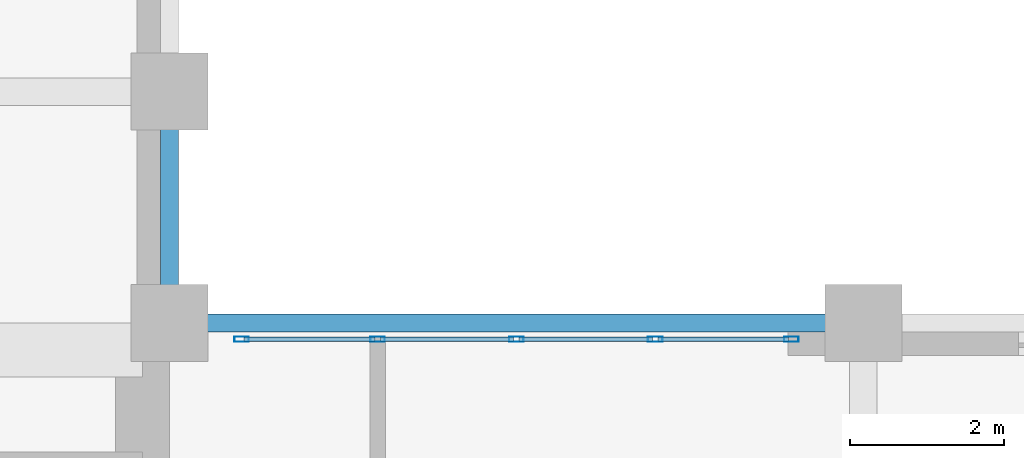
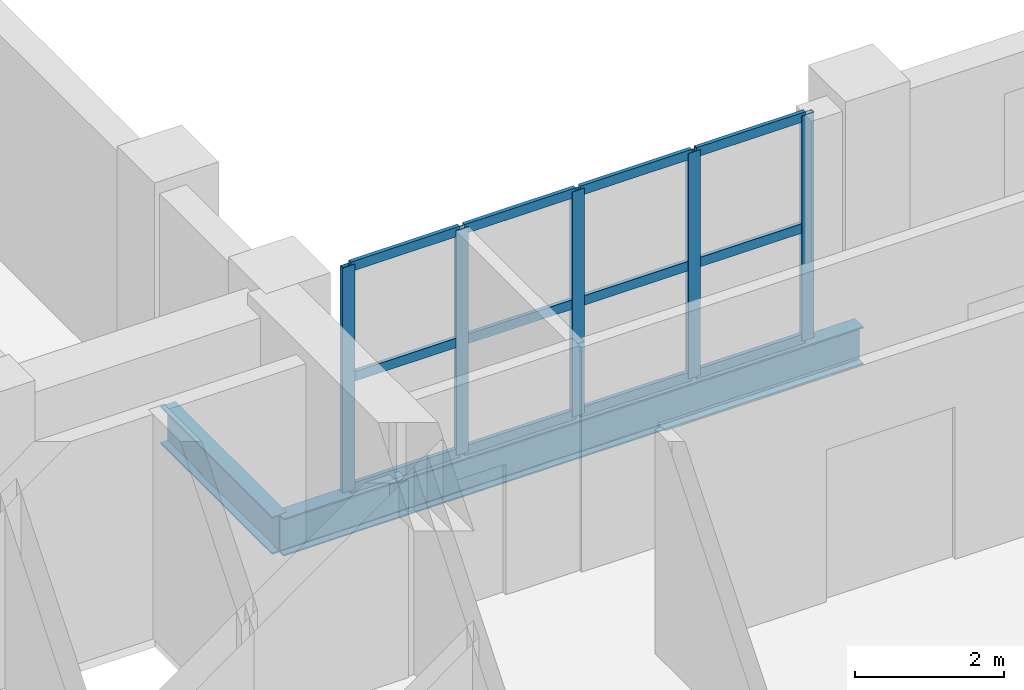
# One storey, part 2 of 8: 17 members, 2 beams, 1 element without a shape of its own.
"""IFC4 building model written with IfcOpenShell, lengths in metres."""

from ifc_helpers import new_model, si_unit, direction, frame, origin, origin_2d, place, context, subcontext, project, spatial, hollow_rectangle, i_section, extrude, material, layer, layer_set, material_profile, profile_set, type_object, element, aggregate, save


model = new_model("IFC4")

# Units and contexts
model_context = context("Model", 3, precision=1e-05, world=origin(), true_north=direction((0.0, 1.0)))
body_context = subcontext(model_context, "Body", "Model", "MODEL_VIEW")
ifc_project = project(units=[si_unit("LENGTHUNIT", "METRE"), si_unit("AREAUNIT", "SQUARE_METRE"), si_unit("VOLUMEUNIT", "CUBIC_METRE"), si_unit("PLANEANGLEUNIT", "RADIAN"), si_unit("MASSUNIT", "GRAM", prefix="KILO")], contexts=[model_context])

# Site, building, storey
site_placement = place(None, origin())
site = spatial("IfcSite", under=ifc_project, at=site_placement, CompositionType="ELEMENT")
building_placement = place(site_placement, origin())
building = spatial("IfcBuilding", under=site, at=building_placement, Name="Mawjdan Bourse Tower", CompositionType="ELEMENT")
storey_placement = place(building_placement, frame((0.0, 0.0, 132.300048828125)))
storey = spatial("IfcBuildingStorey", under=building, at=storey_placement, Name="L31", CompositionType="ELEMENT", Elevation=132.300048828125)

# Curtain wall, members
ifc_material_1 = material(Name="Thermally Broken Aluminium and Solar Glass", Category="aluminium")
ifc_layer = layer(ifc_material_1, 0.219970703125)
ifc_layer_set = layer_set([ifc_layer], Name="Thermally Broken Aluminium and Solar Glass")
curtain_wall_type = type_object("IfcCurtainWallType", Name="CW-ATR", PredefinedType="USERDEFINED", material=ifc_layer_set)
curtain_wall_placement = place(storey_placement, origin())
curtain_wall = element("IfcCurtainWall", 1, at=curtain_wall_placement, inside=storey, type_object=curtain_wall_type, Name="L31 Northeast Atrium Court Curtain Wall", ObjectType="ATRIUM GLAZED CURTAIN WALL", PredefinedType="USERDEFINED")
ifc_material_2 = material(Name="Thermally Broken Anodised Aluminium", Category="aluminium")
ifc_material_profile_1 = material_profile(ifc_material_2, hollow_rectangle(XDim=0.070068359375, YDim=0.18994140625, WallThickness=0.00439453125, at=origin_2d()), Name="ALU-MUL-190X70")
ifc_profile_set_1 = profile_set([ifc_material_profile_1], Name="Thermally Broken Anodised Aluminium")
member_type_1 = type_object("IfcMemberType", Name="MUL-ALU-MUL-190X70", PredefinedType="MULLION", material=ifc_profile_set_1)
member_1_placement = place(storey_placement, frame((32.06494140625, 20.7900390625, 0.0), z_axis=(0.0, 0.0, 1.0), x_axis=(0.0, -1.0, 0.0)))
member_1 = element("IfcMember", 2, at=member_1_placement, type_object=member_type_1, Name="CW-ATR-L31-ATR-NE mullion 1", PredefinedType="MULLION", context=body_context, shape_type="SweptSolid", body=[
    extrude(hollow_rectangle(XDim=0.070068359375, YDim=0.18994140625, WallThickness=0.00439453125, at=origin_2d()), origin(), (0.0, 0.0, 1.0), 3.699951171875),
])
member_2_placement = place(storey_placement, frame((30.300048828125, 20.7900390625, 0.0), z_axis=(0.0, 0.0, 1.0), x_axis=(0.0, -1.0, 0.0)))
member_2 = element("IfcMember", 3, at=member_2_placement, type_object=member_type_1, Name="CW-ATR-L31-ATR-NE mullion 2", PredefinedType="MULLION", context=body_context, shape_type="SweptSolid", body=[
    extrude(hollow_rectangle(XDim=0.070068359375, YDim=0.18994140625, WallThickness=0.00439453125, at=origin_2d()), origin(), (0.0, 0.0, 1.0), 3.699951171875),
])
member_3_placement = place(storey_placement, frame((28.5, 20.7900390625, 0.0), z_axis=(0.0, 0.0, 1.0), x_axis=(0.0, -1.0, 0.0)))
member_3 = element("IfcMember", 4, at=member_3_placement, type_object=member_type_1, Name="CW-ATR-L31-ATR-NE mullion 3", PredefinedType="MULLION", context=body_context, shape_type="SweptSolid", body=[
    extrude(hollow_rectangle(XDim=0.070068359375, YDim=0.18994140625, WallThickness=0.00439453125, at=origin_2d()), origin(), (0.0, 0.0, 1.0), 3.699951171875),
])
member_4_placement = place(storey_placement, frame((26.699951171875, 20.7900390625, 0.0), z_axis=(0.0, 0.0, 1.0), x_axis=(0.0, -1.0, 0.0)))
member_4 = element("IfcMember", 5, at=member_4_placement, type_object=member_type_1, Name="CW-ATR-L31-ATR-NE mullion 4", PredefinedType="MULLION", context=body_context, shape_type="SweptSolid", body=[
    extrude(hollow_rectangle(XDim=0.070068359375, YDim=0.18994140625, WallThickness=0.00439453125, at=origin_2d()), origin(), (0.0, 0.0, 1.0), 3.699951171875),
])
member_5_placement = place(storey_placement, frame((24.93505859375, 20.7900390625, 0.0), z_axis=(0.0, 0.0, 1.0), x_axis=(0.0, -1.0, 0.0)))
member_5 = element("IfcMember", 6, at=member_5_placement, type_object=member_type_1, Name="CW-ATR-L31-ATR-NE mullion 5", PredefinedType="MULLION", context=body_context, shape_type="SweptSolid", body=[
    extrude(hollow_rectangle(XDim=0.070068359375, YDim=0.18994140625, WallThickness=0.00439453125, at=origin_2d()), origin(), (0.0, 0.0, 1.0), 3.699951171875),
])

# Beams
ifc_material_3 = material(Name="Structural Steel S355", Category="steel")
ifc_material_profile_2 = material_profile(ifc_material_3, i_section(OverallWidth=0.22998046875, OverallDepth=0.616943359375, WebThickness=0.01318359375, FlangeThickness=0.022216796875, FilletRadius=0.017822265625, at=origin_2d()), Name="W24X94")
ifc_profile_set_2 = profile_set([ifc_material_profile_2], Name="Structural Steel S355")
beam_type = type_object("IfcBeamType", Name="SPN-W24X94", PredefinedType="SPANDREL", material=ifc_profile_set_2)
beam_1_placement = place(storey_placement, frame((24.0, 21.0, -0.508544921875), z_axis=(1.0, 0.0, 0.0), x_axis=(0.0, 1.0, 0.0)))
element("IfcBeam", 7, at=beam_1_placement, inside=storey, type_object=beam_type, Name="L31 Perimeter Masonry-Shelf Spandrel 014", PredefinedType="SPANDREL", context=body_context, shape_type="SweptSolid", body=[
    extrude(i_section(OverallWidth=0.22998046875, OverallDepth=0.616943359375, WebThickness=0.01318359375, FlangeThickness=0.022216796875, FilletRadius=0.017822265625, at=origin_2d()), origin(), (0.0, 0.0, 1.0), 9.0),
])
beam_2_placement = place(storey_placement, frame((24.0, 21.0, -0.508544921875), z_axis=(0.0, 1.0, 0.0), x_axis=(-1.0, 0.0, 0.0)))
element("IfcBeam", 8, at=beam_2_placement, inside=storey, type_object=beam_type, Name="L31 North Wing Spandrel 065", PredefinedType="SPANDREL", context=body_context, shape_type="SweptSolid", body=[
    extrude(i_section(OverallWidth=0.22998046875, OverallDepth=0.616943359375, WebThickness=0.01318359375, FlangeThickness=0.022216796875, FilletRadius=0.017822265625, at=origin_2d()), origin(), (0.0, 0.0, 1.0), 3.0),
])

# Member
ifc_material_profile_3 = material_profile(ifc_material_2, hollow_rectangle(XDim=0.06005859375, YDim=0.155029296875, WallThickness=0.00390625, at=origin_2d()), Name="ALU-TRN-155X60")
ifc_profile_set_3 = profile_set([ifc_material_profile_3], Name="Thermally Broken Anodised Aluminium")
member_type_2 = type_object("IfcMemberType", Name="TRN-ALU-TRN-155X60", PredefinedType="USERDEFINED", material=ifc_profile_set_3)
member_6_placement = place(storey_placement, frame((32.030029296875, 20.7900390625, 0.030029296875), z_axis=(-1.0, 0.0, 0.0), x_axis=(0.0, -1.0, 0.0)))
member_6 = element("IfcMember", 9, at=member_6_placement, type_object=member_type_2, Name="CW-ATR-L31-ATR-NE transom 1.1", ObjectType="TRANSOM", PredefinedType="USERDEFINED", context=body_context, shape_type="SweptSolid", body=[
    extrude(hollow_rectangle(XDim=0.06005859375, YDim=0.155029296875, WallThickness=0.00390625, at=origin_2d()), origin(), (0.0, 0.0, 1.0), 1.695068359375),
])

member_7_placement = place(storey_placement, frame((32.030029296875, 20.7900390625, 1.849853515625), z_axis=(-1.0, 0.0, 0.0), x_axis=(0.0, -1.0, 0.0)))
member_7 = element("IfcMember", 10, at=member_7_placement, type_object=member_type_2, Name="CW-ATR-L31-ATR-NE transom 1.2", ObjectType="TRANSOM", PredefinedType="USERDEFINED", context=body_context, shape_type="SweptSolid", body=[
    extrude(hollow_rectangle(XDim=0.06005859375, YDim=0.155029296875, WallThickness=0.00390625, at=origin_2d()), origin(), (0.0, 0.0, 1.0), 1.695068359375),
])

member_8_placement = place(storey_placement, frame((32.030029296875, 20.7900390625, 3.669921875), z_axis=(-1.0, 0.0, 0.0), x_axis=(0.0, -1.0, 0.0)))
member_8 = element("IfcMember", 11, at=member_8_placement, type_object=member_type_2, Name="CW-ATR-L31-ATR-NE transom 1.3", ObjectType="TRANSOM", PredefinedType="USERDEFINED", context=body_context, shape_type="SweptSolid", body=[
    extrude(hollow_rectangle(XDim=0.06005859375, YDim=0.155029296875, WallThickness=0.00390625, at=origin_2d()), origin(), (0.0, 0.0, 1.0), 1.695068359375),
])

member_9_placement = place(storey_placement, frame((30.264892578125, 20.7900390625, 0.030029296875), z_axis=(-1.0, 0.0, 0.0), x_axis=(0.0, -1.0, 0.0)))
member_9 = element("IfcMember", 12, at=member_9_placement, type_object=member_type_2, Name="CW-ATR-L31-ATR-NE transom 2.1", ObjectType="TRANSOM", PredefinedType="USERDEFINED", context=body_context, shape_type="SweptSolid", body=[
    extrude(hollow_rectangle(XDim=0.06005859375, YDim=0.155029296875, WallThickness=0.00390625, at=origin_2d()), origin(), (0.0, 0.0, 1.0), 1.72998046875),
])

member_10_placement = place(storey_placement, frame((30.264892578125, 20.7900390625, 1.849853515625), z_axis=(-1.0, 0.0, 0.0), x_axis=(0.0, -1.0, 0.0)))
member_10 = element("IfcMember", 13, at=member_10_placement, type_object=member_type_2, Name="CW-ATR-L31-ATR-NE transom 2.2", ObjectType="TRANSOM", PredefinedType="USERDEFINED", context=body_context, shape_type="SweptSolid", body=[
    extrude(hollow_rectangle(XDim=0.06005859375, YDim=0.155029296875, WallThickness=0.00390625, at=origin_2d()), origin(), (0.0, 0.0, 1.0), 1.72998046875),
])

member_11_placement = place(storey_placement, frame((30.264892578125, 20.7900390625, 3.669921875), z_axis=(-1.0, 0.0, 0.0), x_axis=(0.0, -1.0, 0.0)))
member_11 = element("IfcMember", 14, at=member_11_placement, type_object=member_type_2, Name="CW-ATR-L31-ATR-NE transom 2.3", ObjectType="TRANSOM", PredefinedType="USERDEFINED", context=body_context, shape_type="SweptSolid", body=[
    extrude(hollow_rectangle(XDim=0.06005859375, YDim=0.155029296875, WallThickness=0.00390625, at=origin_2d()), origin(), (0.0, 0.0, 1.0), 1.72998046875),
])

member_12_placement = place(storey_placement, frame((28.465087890625, 20.7900390625, 0.030029296875), z_axis=(-1.0, 0.0, 0.0), x_axis=(0.0, -1.0, 0.0)))
member_12 = element("IfcMember", 15, at=member_12_placement, type_object=member_type_2, Name="CW-ATR-L31-ATR-NE transom 3.1", ObjectType="TRANSOM", PredefinedType="USERDEFINED", context=body_context, shape_type="SweptSolid", body=[
    extrude(hollow_rectangle(XDim=0.06005859375, YDim=0.155029296875, WallThickness=0.00390625, at=origin_2d()), origin(), (0.0, 0.0, 1.0), 1.72998046875),
])

member_13_placement = place(storey_placement, frame((28.465087890625, 20.7900390625, 1.849853515625), z_axis=(-1.0, 0.0, 0.0), x_axis=(0.0, -1.0, 0.0)))
member_13 = element("IfcMember", 16, at=member_13_placement, type_object=member_type_2, Name="CW-ATR-L31-ATR-NE transom 3.2", ObjectType="TRANSOM", PredefinedType="USERDEFINED", context=body_context, shape_type="SweptSolid", body=[
    extrude(hollow_rectangle(XDim=0.06005859375, YDim=0.155029296875, WallThickness=0.00390625, at=origin_2d()), origin(), (0.0, 0.0, 1.0), 1.72998046875),
])

member_14_placement = place(storey_placement, frame((28.465087890625, 20.7900390625, 3.669921875), z_axis=(-1.0, 0.0, 0.0), x_axis=(0.0, -1.0, 0.0)))
member_14 = element("IfcMember", 17, at=member_14_placement, type_object=member_type_2, Name="CW-ATR-L31-ATR-NE transom 3.3", ObjectType="TRANSOM", PredefinedType="USERDEFINED", context=body_context, shape_type="SweptSolid", body=[
    extrude(hollow_rectangle(XDim=0.06005859375, YDim=0.155029296875, WallThickness=0.00390625, at=origin_2d()), origin(), (0.0, 0.0, 1.0), 1.72998046875),
])

member_15_placement = place(storey_placement, frame((26.6650390625, 20.7900390625, 0.030029296875), z_axis=(-1.0, 0.0, 0.0), x_axis=(0.0, -1.0, 0.0)))
member_15 = element("IfcMember", 18, at=member_15_placement, type_object=member_type_2, Name="CW-ATR-L31-ATR-NE transom 4.1", ObjectType="TRANSOM", PredefinedType="USERDEFINED", context=body_context, shape_type="SweptSolid", body=[
    extrude(hollow_rectangle(XDim=0.06005859375, YDim=0.155029296875, WallThickness=0.00390625, at=origin_2d()), origin(), (0.0, 0.0, 1.0), 1.695068359375),
])

member_16_placement = place(storey_placement, frame((26.6650390625, 20.7900390625, 1.849853515625), z_axis=(-1.0, 0.0, 0.0), x_axis=(0.0, -1.0, 0.0)))
member_16 = element("IfcMember", 19, at=member_16_placement, type_object=member_type_2, Name="CW-ATR-L31-ATR-NE transom 4.2", ObjectType="TRANSOM", PredefinedType="USERDEFINED", context=body_context, shape_type="SweptSolid", body=[
    extrude(hollow_rectangle(XDim=0.06005859375, YDim=0.155029296875, WallThickness=0.00390625, at=origin_2d()), origin(), (0.0, 0.0, 1.0), 1.695068359375),
])

member_17_placement = place(storey_placement, frame((26.6650390625, 20.7900390625, 3.669921875), z_axis=(-1.0, 0.0, 0.0), x_axis=(0.0, -1.0, 0.0)))
member_17 = element("IfcMember", 20, at=member_17_placement, type_object=member_type_2, Name="CW-ATR-L31-ATR-NE transom 4.3", ObjectType="TRANSOM", PredefinedType="USERDEFINED", context=body_context, shape_type="SweptSolid", body=[
    extrude(hollow_rectangle(XDim=0.06005859375, YDim=0.155029296875, WallThickness=0.00390625, at=origin_2d()), origin(), (0.0, 0.0, 1.0), 1.695068359375),
])

aggregate(curtain_wall, [member_1, member_2, member_3, member_4, member_5, member_6, member_7, member_8, member_9, member_10, member_11, member_12, member_13, member_14, member_15, member_16, member_17])

save(model, "model.ifc")
